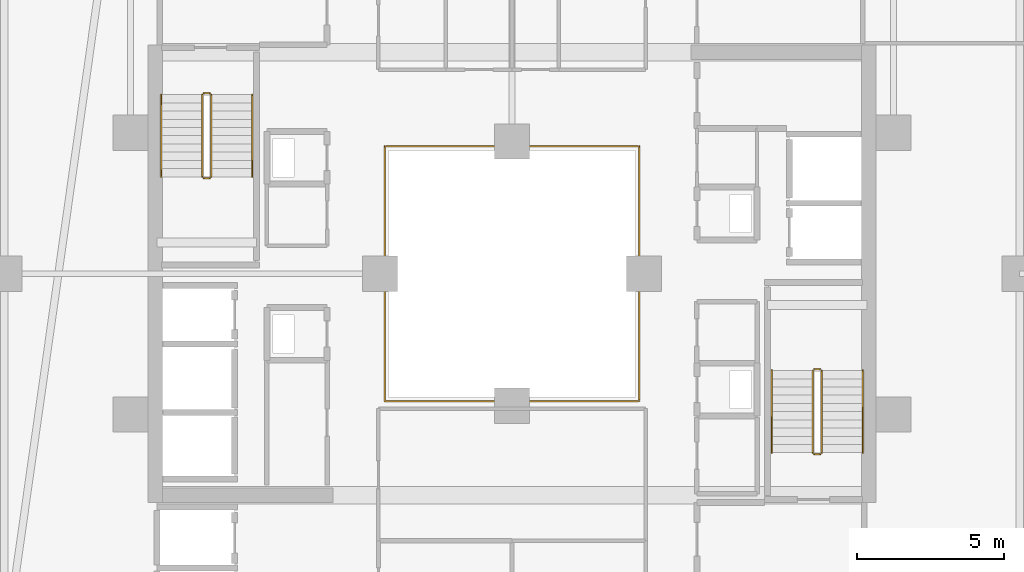
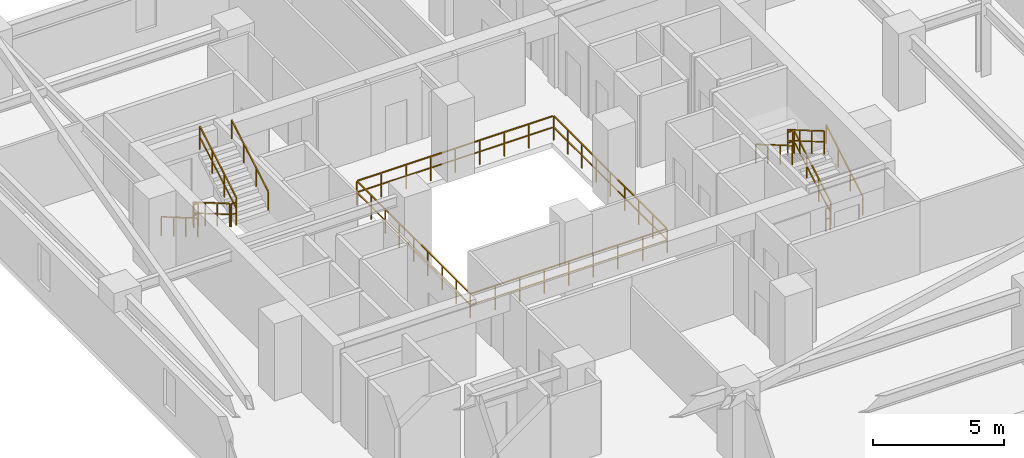
# One storey, part 32 of 33: 13 railings.
"""IFC4 building model written with IfcOpenShell, lengths in metres."""

from ifc_helpers import new_model, si_unit, direction, frame, origin, origin_2d, place, context, subcontext, project, spatial, rectangle, extrude, material, type_object, element, save


model = new_model("IFC4")

# Units and contexts
model_context = context("Model", 3, precision=1e-05, world=origin(), true_north=direction((0.0, 1.0)))
body_context = subcontext(model_context, "Body", "Model", "MODEL_VIEW")
ifc_project = project(units=[si_unit("LENGTHUNIT", "METRE"), si_unit("AREAUNIT", "SQUARE_METRE"), si_unit("VOLUMEUNIT", "CUBIC_METRE"), si_unit("PLANEANGLEUNIT", "RADIAN"), si_unit("MASSUNIT", "GRAM", prefix="KILO")], contexts=[model_context])

# Site, building, storey
site_placement = place(None, origin())
site = spatial("IfcSite", under=ifc_project, at=site_placement, CompositionType="ELEMENT")
building_placement = place(site_placement, origin())
building = spatial("IfcBuilding", under=site, at=building_placement, Name="Thornwick Lancets Civic Towers", CompositionType="ELEMENT")
storey_placement = place(building_placement, frame((0.0, 0.0, 134.10009765625)))
storey = spatial("IfcBuildingStorey", under=building, at=storey_placement, Name="L35", CompositionType="ELEMENT", Elevation=134.10009765625)

# Railings
ifc_material_1 = material(Name="Laminated glass and bronze steel S355", Category="steel")
railing_type_1 = type_object("IfcRailingType", Name="RAIL_ATRIUM_GUARD", PredefinedType="BALUSTRADE", material=ifc_material_1)
railing_1_placement = place(storey_placement, frame((84.159912109375, 22.659912109375, 0.0)))
element("IfcRailing", 1, at=railing_1_placement, inside=storey, type_object=railing_type_1, Name="L35 Tower B Central Atrium Guard Balustrade", PredefinedType="BALUSTRADE", context=body_context, shape_type="SweptSolid", body=[
    extrude(rectangle(XDim=0.048095703125, YDim=0.048095703125, at=origin_2d()), frame((0.0, 0.0, 1.1259765625), z_axis=(1.0, 0.0, 0.0), x_axis=(0.0, 1.0, 0.0)), (0.0, 0.0, 1.0), 8.64892578125),
    extrude(rectangle(XDim=0.0419921875, YDim=0.0419921875, at=origin_2d()), frame((0.03759765625, 0.0, 0.597900390625), z_axis=(1.0, 0.0, 0.0), x_axis=(0.0, 1.0, 0.0)), (0.0, 0.0, 1.0), 1.010009765625),
    extrude(rectangle(XDim=0.0419921875, YDim=0.0419921875, at=origin_2d()), frame((1.12255859375, 0.0, 0.597900390625), z_axis=(1.0, 0.0, 0.0), x_axis=(0.0, 1.0, 0.0)), (0.0, 0.0, 1.0), 1.010009765625),
    extrude(rectangle(XDim=0.0419921875, YDim=0.0419921875, at=origin_2d()), frame((2.20751953125, 0.0, 0.597900390625), z_axis=(1.0, 0.0, 0.0), x_axis=(0.0, 1.0, 0.0)), (0.0, 0.0, 1.0), 1.010009765625),
    extrude(rectangle(XDim=0.0419921875, YDim=0.0419921875, at=origin_2d()), frame((3.29248046875, 0.0, 0.597900390625), z_axis=(1.0, 0.0, 0.0), x_axis=(0.0, 1.0, 0.0)), (0.0, 0.0, 1.0), 1.010009765625),
    extrude(rectangle(XDim=0.0419921875, YDim=0.0419921875, at=origin_2d()), frame((4.377685546875, 0.0, 0.597900390625), z_axis=(1.0, 0.0, 0.0), x_axis=(0.0, 1.0, 0.0)), (0.0, 0.0, 1.0), 1.010009765625),
    extrude(rectangle(XDim=0.0419921875, YDim=0.0419921875, at=origin_2d()), frame((5.462646484375, 0.0, 0.597900390625), z_axis=(1.0, 0.0, 0.0), x_axis=(0.0, 1.0, 0.0)), (0.0, 0.0, 1.0), 1.010009765625),
    extrude(rectangle(XDim=0.0419921875, YDim=0.0419921875, at=origin_2d()), frame((6.547607421875, 0.0, 0.597900390625), z_axis=(1.0, 0.0, 0.0), x_axis=(0.0, 1.0, 0.0)), (0.0, 0.0, 1.0), 1.010009765625),
    extrude(rectangle(XDim=0.0419921875, YDim=0.0419921875, at=origin_2d()), frame((7.632568359375, 0.0, 0.597900390625), z_axis=(1.0, 0.0, 0.0), x_axis=(0.0, 1.0, 0.0)), (0.0, 0.0, 1.0), 1.010009765625),
    extrude(rectangle(XDim=0.048095703125, YDim=0.048095703125, at=origin_2d()), frame((8.68017578125, 0.03125, 1.1259765625), z_axis=(0.0, 1.0, 0.0), x_axis=(-1.0, 0.0, 0.0)), (0.0, 0.0, 1.0), 8.61767578125),
    extrude(rectangle(XDim=0.0419921875, YDim=0.0419921875, at=origin_2d()), frame((8.68017578125, 0.03759765625, 0.597900390625), z_axis=(0.0, 1.0, 0.0), x_axis=(-1.0, 0.0, 0.0)), (0.0, 0.0, 1.0), 1.010009765625),
    extrude(rectangle(XDim=0.0419921875, YDim=0.0419921875, at=origin_2d()), frame((8.68017578125, 1.12255859375, 0.597900390625), z_axis=(0.0, 1.0, 0.0), x_axis=(-1.0, 0.0, 0.0)), (0.0, 0.0, 1.0), 1.010009765625),
    extrude(rectangle(XDim=0.0419921875, YDim=0.0419921875, at=origin_2d()), frame((8.68017578125, 2.20751953125, 0.597900390625), z_axis=(0.0, 1.0, 0.0), x_axis=(-1.0, 0.0, 0.0)), (0.0, 0.0, 1.0), 1.010009765625),
    extrude(rectangle(XDim=0.0419921875, YDim=0.0419921875, at=origin_2d()), frame((8.68017578125, 3.29248046875, 0.597900390625), z_axis=(0.0, 1.0, 0.0), x_axis=(-1.0, 0.0, 0.0)), (0.0, 0.0, 1.0), 1.010009765625),
    extrude(rectangle(XDim=0.0419921875, YDim=0.0419921875, at=origin_2d()), frame((8.68017578125, 4.377685546875, 0.597900390625), z_axis=(0.0, 1.0, 0.0), x_axis=(-1.0, 0.0, 0.0)), (0.0, 0.0, 1.0), 1.010009765625),
    extrude(rectangle(XDim=0.0419921875, YDim=0.0419921875, at=origin_2d()), frame((8.68017578125, 5.462646484375, 0.597900390625), z_axis=(0.0, 1.0, 0.0), x_axis=(-1.0, 0.0, 0.0)), (0.0, 0.0, 1.0), 1.010009765625),
    extrude(rectangle(XDim=0.0419921875, YDim=0.0419921875, at=origin_2d()), frame((8.68017578125, 6.547607421875, 0.597900390625), z_axis=(0.0, 1.0, 0.0), x_axis=(-1.0, 0.0, 0.0)), (0.0, 0.0, 1.0), 1.010009765625),
    extrude(rectangle(XDim=0.0419921875, YDim=0.0419921875, at=origin_2d()), frame((8.68017578125, 7.632568359375, 0.597900390625), z_axis=(0.0, 1.0, 0.0), x_axis=(-1.0, 0.0, 0.0)), (0.0, 0.0, 1.0), 1.010009765625),
    extrude(rectangle(XDim=0.048095703125, YDim=0.048095703125, at=origin_2d()), frame((8.64892578125, 8.68017578125, 1.1259765625), z_axis=(-1.0, 0.0, 0.0), x_axis=(0.0, -1.0, 0.0)), (0.0, 0.0, 1.0), 8.61767578125),
    extrude(rectangle(XDim=0.0419921875, YDim=0.0419921875, at=origin_2d()), frame((8.642578125, 8.68017578125, 0.597900390625), z_axis=(-1.0, 0.0, 0.0), x_axis=(0.0, -1.0, 0.0)), (0.0, 0.0, 1.0), 1.010009765625),
    extrude(rectangle(XDim=0.0419921875, YDim=0.0419921875, at=origin_2d()), frame((7.5576171875, 8.68017578125, 0.597900390625), z_axis=(-1.0, 0.0, 0.0), x_axis=(0.0, -1.0, 0.0)), (0.0, 0.0, 1.0), 1.010009765625),
    extrude(rectangle(XDim=0.0419921875, YDim=0.0419921875, at=origin_2d()), frame((6.47265625, 8.68017578125, 0.597900390625), z_axis=(-1.0, 0.0, 0.0), x_axis=(0.0, -1.0, 0.0)), (0.0, 0.0, 1.0), 1.010009765625),
    extrude(rectangle(XDim=0.0419921875, YDim=0.0419921875, at=origin_2d()), frame((5.3876953125, 8.68017578125, 0.597900390625), z_axis=(-1.0, 0.0, 0.0), x_axis=(0.0, -1.0, 0.0)), (0.0, 0.0, 1.0), 1.010009765625),
    extrude(rectangle(XDim=0.0419921875, YDim=0.0419921875, at=origin_2d()), frame((4.302490234375, 8.68017578125, 0.597900390625), z_axis=(-1.0, 0.0, 0.0), x_axis=(0.0, -1.0, 0.0)), (0.0, 0.0, 1.0), 1.010009765625),
    extrude(rectangle(XDim=0.0419921875, YDim=0.0419921875, at=origin_2d()), frame((3.217529296875, 8.68017578125, 0.597900390625), z_axis=(-1.0, 0.0, 0.0), x_axis=(0.0, -1.0, 0.0)), (0.0, 0.0, 1.0), 1.010009765625),
    extrude(rectangle(XDim=0.0419921875, YDim=0.0419921875, at=origin_2d()), frame((2.132568359375, 8.68017578125, 0.597900390625), z_axis=(-1.0, 0.0, 0.0), x_axis=(0.0, -1.0, 0.0)), (0.0, 0.0, 1.0), 1.010009765625),
    extrude(rectangle(XDim=0.0419921875, YDim=0.0419921875, at=origin_2d()), frame((1.047607421875, 8.68017578125, 0.597900390625), z_axis=(-1.0, 0.0, 0.0), x_axis=(0.0, -1.0, 0.0)), (0.0, 0.0, 1.0), 1.010009765625),
    extrude(rectangle(XDim=0.048095703125, YDim=0.048095703125, at=origin_2d()), frame((0.0, 8.64892578125, 1.1259765625), z_axis=(0.0, -1.0, 0.0), x_axis=(1.0, 0.0, 0.0)), (0.0, 0.0, 1.0), 8.64892578125),
    extrude(rectangle(XDim=0.0419921875, YDim=0.0419921875, at=origin_2d()), frame((0.0, 8.642578125, 0.597900390625), z_axis=(0.0, -1.0, 0.0), x_axis=(1.0, 0.0, 0.0)), (0.0, 0.0, 1.0), 1.010009765625),
    extrude(rectangle(XDim=0.0419921875, YDim=0.0419921875, at=origin_2d()), frame((0.0, 7.5576171875, 0.597900390625), z_axis=(0.0, -1.0, 0.0), x_axis=(1.0, 0.0, 0.0)), (0.0, 0.0, 1.0), 1.010009765625),
    extrude(rectangle(XDim=0.0419921875, YDim=0.0419921875, at=origin_2d()), frame((0.0, 6.47265625, 0.597900390625), z_axis=(0.0, -1.0, 0.0), x_axis=(1.0, 0.0, 0.0)), (0.0, 0.0, 1.0), 1.010009765625),
    extrude(rectangle(XDim=0.0419921875, YDim=0.0419921875, at=origin_2d()), frame((0.0, 5.3876953125, 0.597900390625), z_axis=(0.0, -1.0, 0.0), x_axis=(1.0, 0.0, 0.0)), (0.0, 0.0, 1.0), 1.010009765625),
    extrude(rectangle(XDim=0.0419921875, YDim=0.0419921875, at=origin_2d()), frame((0.0, 4.302490234375, 0.597900390625), z_axis=(0.0, -1.0, 0.0), x_axis=(1.0, 0.0, 0.0)), (0.0, 0.0, 1.0), 1.010009765625),
    extrude(rectangle(XDim=0.0419921875, YDim=0.0419921875, at=origin_2d()), frame((0.0, 3.217529296875, 0.597900390625), z_axis=(0.0, -1.0, 0.0), x_axis=(1.0, 0.0, 0.0)), (0.0, 0.0, 1.0), 1.010009765625),
    extrude(rectangle(XDim=0.0419921875, YDim=0.0419921875, at=origin_2d()), frame((0.0, 2.132568359375, 0.597900390625), z_axis=(0.0, -1.0, 0.0), x_axis=(1.0, 0.0, 0.0)), (0.0, 0.0, 1.0), 1.010009765625),
    extrude(rectangle(XDim=0.0419921875, YDim=0.0419921875, at=origin_2d()), frame((0.0, 1.047607421875, 0.597900390625), z_axis=(0.0, -1.0, 0.0), x_axis=(1.0, 0.0, 0.0)), (0.0, 0.0, 1.0), 1.010009765625),
    extrude(rectangle(XDim=0.0419921875, YDim=0.0419921875, at=origin_2d()), origin(), (0.0, 0.0, 1.0), 1.095703125),
    extrude(rectangle(XDim=0.0419921875, YDim=0.0419921875, at=origin_2d()), frame((1.0849609375, 0.0, 0.0)), (0.0, 0.0, 1.0), 1.095703125),
    extrude(rectangle(XDim=0.0419921875, YDim=0.0419921875, at=origin_2d()), frame((2.169921875, 0.0, 0.0)), (0.0, 0.0, 1.0), 1.095703125),
    extrude(rectangle(XDim=0.0419921875, YDim=0.0419921875, at=origin_2d()), frame((3.255126953125, 0.0, 0.0)), (0.0, 0.0, 1.0), 1.095703125),
    extrude(rectangle(XDim=0.0419921875, YDim=0.0419921875, at=origin_2d()), frame((4.340087890625, 0.0, 0.0)), (0.0, 0.0, 1.0), 1.095703125),
    extrude(rectangle(XDim=0.0419921875, YDim=0.0419921875, at=origin_2d()), frame((5.425048828125, 0.0, 0.0)), (0.0, 0.0, 1.0), 1.095703125),
    extrude(rectangle(XDim=0.0419921875, YDim=0.0419921875, at=origin_2d()), frame((6.51025390625, 0.0, 0.0)), (0.0, 0.0, 1.0), 1.095703125),
    extrude(rectangle(XDim=0.0419921875, YDim=0.0419921875, at=origin_2d()), frame((7.59521484375, 0.0, 0.0)), (0.0, 0.0, 1.0), 1.095703125),
    extrude(rectangle(XDim=0.0419921875, YDim=0.0419921875, at=origin_2d()), frame((8.68017578125, 0.0, 0.0)), (0.0, 0.0, 1.0), 1.095703125),
    extrude(rectangle(XDim=0.0419921875, YDim=0.0419921875, at=origin_2d()), frame((8.68017578125, 1.0849609375, 0.0)), (0.0, 0.0, 1.0), 1.095703125),
    extrude(rectangle(XDim=0.0419921875, YDim=0.0419921875, at=origin_2d()), frame((8.68017578125, 2.169921875, 0.0)), (0.0, 0.0, 1.0), 1.095703125),
    extrude(rectangle(XDim=0.0419921875, YDim=0.0419921875, at=origin_2d()), frame((8.68017578125, 3.255126953125, 0.0)), (0.0, 0.0, 1.0), 1.095703125),
    extrude(rectangle(XDim=0.0419921875, YDim=0.0419921875, at=origin_2d()), frame((8.68017578125, 4.340087890625, 0.0)), (0.0, 0.0, 1.0), 1.095703125),
    extrude(rectangle(XDim=0.0419921875, YDim=0.0419921875, at=origin_2d()), frame((8.68017578125, 5.425048828125, 0.0)), (0.0, 0.0, 1.0), 1.095703125),
    extrude(rectangle(XDim=0.0419921875, YDim=0.0419921875, at=origin_2d()), frame((8.68017578125, 6.51025390625, 0.0)), (0.0, 0.0, 1.0), 1.095703125),
    extrude(rectangle(XDim=0.0419921875, YDim=0.0419921875, at=origin_2d()), frame((8.68017578125, 7.59521484375, 0.0)), (0.0, 0.0, 1.0), 1.095703125),
    extrude(rectangle(XDim=0.0419921875, YDim=0.0419921875, at=origin_2d()), frame((8.68017578125, 8.68017578125, 0.0)), (0.0, 0.0, 1.0), 1.095703125),
    extrude(rectangle(XDim=0.0419921875, YDim=0.0419921875, at=origin_2d()), frame((7.59521484375, 8.68017578125, 0.0)), (0.0, 0.0, 1.0), 1.095703125),
    extrude(rectangle(XDim=0.0419921875, YDim=0.0419921875, at=origin_2d()), frame((6.51025390625, 8.68017578125, 0.0)), (0.0, 0.0, 1.0), 1.095703125),
    extrude(rectangle(XDim=0.0419921875, YDim=0.0419921875, at=origin_2d()), frame((5.425048828125, 8.68017578125, 0.0)), (0.0, 0.0, 1.0), 1.095703125),
    extrude(rectangle(XDim=0.0419921875, YDim=0.0419921875, at=origin_2d()), frame((4.340087890625, 8.68017578125, 0.0)), (0.0, 0.0, 1.0), 1.095703125),
    extrude(rectangle(XDim=0.0419921875, YDim=0.0419921875, at=origin_2d()), frame((3.255126953125, 8.68017578125, 0.0)), (0.0, 0.0, 1.0), 1.095703125),
    extrude(rectangle(XDim=0.0419921875, YDim=0.0419921875, at=origin_2d()), frame((2.169921875, 8.68017578125, 0.0)), (0.0, 0.0, 1.0), 1.095703125),
    extrude(rectangle(XDim=0.0419921875, YDim=0.0419921875, at=origin_2d()), frame((1.0849609375, 8.68017578125, 0.0)), (0.0, 0.0, 1.0), 1.095703125),
    extrude(rectangle(XDim=0.0419921875, YDim=0.0419921875, at=origin_2d()), frame((0.0, 8.68017578125, 0.0)), (0.0, 0.0, 1.0), 1.095703125),
    extrude(rectangle(XDim=0.0419921875, YDim=0.0419921875, at=origin_2d()), frame((0.0, 7.59521484375, 0.0)), (0.0, 0.0, 1.0), 1.095703125),
    extrude(rectangle(XDim=0.0419921875, YDim=0.0419921875, at=origin_2d()), frame((0.0, 6.51025390625, 0.0)), (0.0, 0.0, 1.0), 1.095703125),
    extrude(rectangle(XDim=0.0419921875, YDim=0.0419921875, at=origin_2d()), frame((0.0, 5.425048828125, 0.0)), (0.0, 0.0, 1.0), 1.095703125),
    extrude(rectangle(XDim=0.0419921875, YDim=0.0419921875, at=origin_2d()), frame((0.0, 4.340087890625, 0.0)), (0.0, 0.0, 1.0), 1.095703125),
    extrude(rectangle(XDim=0.0419921875, YDim=0.0419921875, at=origin_2d()), frame((0.0, 3.255126953125, 0.0)), (0.0, 0.0, 1.0), 1.095703125),
    extrude(rectangle(XDim=0.0419921875, YDim=0.0419921875, at=origin_2d()), frame((0.0, 2.169921875, 0.0)), (0.0, 0.0, 1.0), 1.095703125),
    extrude(rectangle(XDim=0.0419921875, YDim=0.0419921875, at=origin_2d()), frame((0.0, 1.0849609375, 0.0)), (0.0, 0.0, 1.0), 1.095703125),
])
ifc_material_2 = material(Name="Brushed stainless steel S355", Category="steel")
railing_type_2 = type_object("IfcRailingType", Name="RAIL_HANDRAIL", PredefinedType="HANDRAIL", material=ifc_material_2)
railing_2_placement = place(storey_placement, frame((100.449951171875, 20.89990234375, 0.16357421875)))
element("IfcRailing", 2, at=railing_2_placement, inside=storey, type_object=railing_type_2, Name="L35 ST-B1 stair handrail 1", PredefinedType="HANDRAIL", context=body_context, shape_type="SweptSolid", body=[
    extrude(rectangle(XDim=0.048095703125, YDim=0.048095703125, at=origin_2d()), frame((0.0, 0.0, 0.8857421875), z_axis=(0.0, 0.863393664356, 0.504530851732), x_axis=(-1.0, 0.0, 0.0)), (0.0, 0.0, 1.0), 3.2431640625),
    extrude(rectangle(XDim=0.0419921875, YDim=0.0419921875, at=origin_2d()), origin(), (0.0, 0.0, 1.0), 0.855712890625),
    extrude(rectangle(XDim=0.0419921875, YDim=0.0419921875, at=origin_2d()), frame((0.0, 0.933349609375, 0.54541015625)), (0.0, 0.0, 1.0), 0.855712890625),
    extrude(rectangle(XDim=0.0419921875, YDim=0.0419921875, at=origin_2d()), frame((0.0, 1.86669921875, 1.0908203125)), (0.0, 0.0, 1.0), 0.855712890625),
    extrude(rectangle(XDim=0.0419921875, YDim=0.0419921875, at=origin_2d()), frame((0.0, 2.800048828125, 1.63623046875)), (0.0, 0.0, 1.0), 0.855712890625),
])
for number, where, name in (
    (3, (97.35009765625, 23.699951171875, 1.963623046875), "L35 ST-B1 stair handrail 2"),
    (4, (76.550048828125, 33.10009765625, 0.16357421875), "L35 ST-B2 stair handrail 1"),
):
    element("IfcRailing", number, at=place(storey_placement, frame(where)), inside=storey, type_object=railing_type_2, Name=name, PredefinedType="HANDRAIL", context=body_context, shape_type="SweptSolid", body=[
        extrude(rectangle(XDim=0.048095703125, YDim=0.048095703125, at=origin_2d()), frame((0.0, 0.0, 0.8857421875), z_axis=(0.0, -0.863393664356, 0.504530851732), x_axis=(1.0, 0.0, 0.0)), (0.0, 0.0, 1.0), 3.2431640625),
        extrude(rectangle(XDim=0.0419921875, YDim=0.0419921875, at=origin_2d()), origin(), (0.0, 0.0, 1.0), 0.855712890625),
        extrude(rectangle(XDim=0.0419921875, YDim=0.0419921875, at=origin_2d()), frame((0.0, -0.933349609375, 0.54541015625)), (0.0, 0.0, 1.0), 0.855712890625),
        extrude(rectangle(XDim=0.0419921875, YDim=0.0419921875, at=origin_2d()), frame((0.0, -1.86669921875, 1.0908203125)), (0.0, 0.0, 1.0), 0.855712890625),
        extrude(rectangle(XDim=0.0419921875, YDim=0.0419921875, at=origin_2d()), frame((0.0, -2.800048828125, 1.63623046875)), (0.0, 0.0, 1.0), 0.855712890625),
    ])
railing_3_placement = place(storey_placement, frame((79.64990234375, 30.300048828125, 1.963623046875)))
element("IfcRailing", 5, at=railing_3_placement, inside=storey, type_object=railing_type_2, Name="L35 ST-B2 stair handrail 2", PredefinedType="HANDRAIL", context=body_context, shape_type="SweptSolid", body=[
    extrude(rectangle(XDim=0.048095703125, YDim=0.048095703125, at=origin_2d()), frame((0.0, 0.0, 0.8857421875), z_axis=(0.0, 0.863393664356, 0.504530851732), x_axis=(-1.0, 0.0, 0.0)), (0.0, 0.0, 1.0), 3.2431640625),
    extrude(rectangle(XDim=0.0419921875, YDim=0.0419921875, at=origin_2d()), origin(), (0.0, 0.0, 1.0), 0.855712890625),
    extrude(rectangle(XDim=0.0419921875, YDim=0.0419921875, at=origin_2d()), frame((0.0, 0.933349609375, 0.54541015625)), (0.0, 0.0, 1.0), 0.855712890625),
    extrude(rectangle(XDim=0.0419921875, YDim=0.0419921875, at=origin_2d()), frame((0.0, 1.86669921875, 1.0908203125)), (0.0, 0.0, 1.0), 0.855712890625),
    extrude(rectangle(XDim=0.0419921875, YDim=0.0419921875, at=origin_2d()), frame((0.0, 2.800048828125, 1.63623046875)), (0.0, 0.0, 1.0), 0.855712890625),
])
ifc_material_3 = material(Name="Steel S355JR", Category="steel")
railing_type_3 = type_object("IfcRailingType", Name="RAIL_STAIR_GUARD", PredefinedType="GUARDRAIL", material=ifc_material_3)
railing_4_placement = place(storey_placement, frame((99.050048828125, 20.89990234375, 0.16357421875)))
element("IfcRailing", 6, at=railing_4_placement, inside=storey, type_object=railing_type_3, Name="L35 ST-B1 stair guard 1", PredefinedType="GUARDRAIL", context=body_context, shape_type="SweptSolid", body=[
    extrude(rectangle(XDim=0.048095703125, YDim=0.048095703125, at=origin_2d()), frame((0.0, 0.0, 1.076171875), z_axis=(0.0, 0.863393664356, 0.504530851732), x_axis=(-1.0, 0.0, 0.0)), (0.0, 0.0, 1.0), 3.2431640625),
    extrude(rectangle(XDim=0.0419921875, YDim=0.0419921875, at=origin_2d()), frame((0.0, 0.032470703125, 0.591064453125), z_axis=(0.0, 0.863393664356, 0.504530851732), x_axis=(-1.0, 0.0, 0.0)), (0.0, 0.0, 1.0), 1.006103515625),
    extrude(rectangle(XDim=0.0419921875, YDim=0.0419921875, at=origin_2d()), frame((0.0, 0.9658203125, 1.136474609375), z_axis=(0.0, 0.863393664356, 0.504530851732), x_axis=(-1.0, 0.0, 0.0)), (0.0, 0.0, 1.0), 1.006103515625),
    extrude(rectangle(XDim=0.0419921875, YDim=0.0419921875, at=origin_2d()), frame((0.0, 1.899169921875, 1.681884765625), z_axis=(0.0, 0.863393664356, 0.504530851732), x_axis=(-1.0, 0.0, 0.0)), (0.0, 0.0, 1.0), 1.006103515625),
    extrude(rectangle(XDim=0.0419921875, YDim=0.0419921875, at=origin_2d()), origin(), (0.0, 0.0, 1.0), 1.0458984375),
    extrude(rectangle(XDim=0.0419921875, YDim=0.0419921875, at=origin_2d()), frame((0.0, 0.933349609375, 0.54541015625)), (0.0, 0.0, 1.0), 1.0458984375),
    extrude(rectangle(XDim=0.0419921875, YDim=0.0419921875, at=origin_2d()), frame((0.0, 1.86669921875, 1.0908203125)), (0.0, 0.0, 1.0), 1.0458984375),
    extrude(rectangle(XDim=0.0419921875, YDim=0.0419921875, at=origin_2d()), frame((0.0, 2.800048828125, 1.63623046875)), (0.0, 0.0, 1.0), 1.0458984375),
])
railing_5_placement = place(storey_placement, frame((99.0, 23.75, 1.7998046875)))
element("IfcRailing", 7, at=railing_5_placement, inside=storey, type_object=railing_type_3, Name="L35 ST-B1 stair guard 2", PredefinedType="GUARDRAIL", context=body_context, shape_type="SweptSolid", body=[
    extrude(rectangle(XDim=0.048095703125, YDim=0.048095703125, at=origin_2d()), frame((0.0, 0.0, 1.076171875), z_axis=(-1.0, 0.0, 0.0), x_axis=(0.0, -1.0, 0.0)), (0.0, 0.0, 1.0), 0.199951171875),
    extrude(rectangle(XDim=0.0419921875, YDim=0.0419921875, at=origin_2d()), frame((-0.03759765625, 0.0, 0.572021484375), z_axis=(-1.0, 0.0, 0.0), x_axis=(0.0, -1.0, 0.0)), (0.0, 0.0, 1.0), 0.125),
    extrude(rectangle(XDim=0.0419921875, YDim=0.0419921875, at=origin_2d()), origin(), (0.0, 0.0, 1.0), 1.0458984375),
    extrude(rectangle(XDim=0.0419921875, YDim=0.0419921875, at=origin_2d()), frame((-0.199951171875, 0.0, 0.0)), (0.0, 0.0, 1.0), 1.0458984375),
])
railing_6_placement = place(storey_placement, frame((98.75, 23.699951171875, 1.963623046875)))
element("IfcRailing", 8, at=railing_6_placement, inside=storey, type_object=railing_type_3, Name="L35 ST-B1 stair guard 3", PredefinedType="GUARDRAIL", context=body_context, shape_type="SweptSolid", body=[
    extrude(rectangle(XDim=0.048095703125, YDim=0.048095703125, at=origin_2d()), frame((0.0, 0.0, 1.076171875), z_axis=(0.0, -0.863393664356, 0.504530851732), x_axis=(1.0, 0.0, 0.0)), (0.0, 0.0, 1.0), 3.2431640625),
    extrude(rectangle(XDim=0.0419921875, YDim=0.0419921875, at=origin_2d()), frame((0.0, -0.032470703125, 0.591064453125), z_axis=(0.0, -0.863393664356, 0.504530851732), x_axis=(1.0, 0.0, 0.0)), (0.0, 0.0, 1.0), 1.006103515625),
    extrude(rectangle(XDim=0.0419921875, YDim=0.0419921875, at=origin_2d()), frame((0.0, -0.9658203125, 1.136474609375), z_axis=(0.0, -0.863393664356, 0.504530851732), x_axis=(1.0, 0.0, 0.0)), (0.0, 0.0, 1.0), 1.006103515625),
    extrude(rectangle(XDim=0.0419921875, YDim=0.0419921875, at=origin_2d()), frame((0.0, -1.899169921875, 1.681884765625), z_axis=(0.0, -0.863393664356, 0.504530851732), x_axis=(1.0, 0.0, 0.0)), (0.0, 0.0, 1.0), 1.006103515625),
    extrude(rectangle(XDim=0.0419921875, YDim=0.0419921875, at=origin_2d()), origin(), (0.0, 0.0, 1.0), 1.0458984375),
    extrude(rectangle(XDim=0.0419921875, YDim=0.0419921875, at=origin_2d()), frame((0.0, -0.933349609375, 0.54541015625)), (0.0, 0.0, 1.0), 1.0458984375),
    extrude(rectangle(XDim=0.0419921875, YDim=0.0419921875, at=origin_2d()), frame((0.0, -1.86669921875, 1.0908203125)), (0.0, 0.0, 1.0), 1.0458984375),
    extrude(rectangle(XDim=0.0419921875, YDim=0.0419921875, at=origin_2d()), frame((0.0, -2.800048828125, 1.63623046875)), (0.0, 0.0, 1.0), 1.0458984375),
])
railing_7_placement = place(storey_placement, frame((99.0, 20.85009765625, 0.0)))
element("IfcRailing", 9, at=railing_7_placement, inside=storey, type_object=railing_type_3, Name="L35 ST-B1 stair guard 4", PredefinedType="GUARDRAIL", context=body_context, shape_type="SweptSolid", body=[
    extrude(rectangle(XDim=0.048095703125, YDim=0.048095703125, at=origin_2d()), frame((0.0, 0.0, 1.076171875), z_axis=(-1.0, 0.0, 0.0), x_axis=(0.0, -1.0, 0.0)), (0.0, 0.0, 1.0), 0.199951171875),
    extrude(rectangle(XDim=0.0419921875, YDim=0.0419921875, at=origin_2d()), frame((-0.03759765625, 0.0, 0.572021484375), z_axis=(-1.0, 0.0, 0.0), x_axis=(0.0, -1.0, 0.0)), (0.0, 0.0, 1.0), 0.125),
    extrude(rectangle(XDim=0.0419921875, YDim=0.0419921875, at=origin_2d()), origin(), (0.0, 0.0, 1.0), 1.0458984375),
    extrude(rectangle(XDim=0.0419921875, YDim=0.0419921875, at=origin_2d()), frame((-0.199951171875, 0.0, 0.0)), (0.0, 0.0, 1.0), 1.0458984375),
])
railing_8_placement = place(storey_placement, frame((77.949951171875, 33.10009765625, 0.16357421875)))
element("IfcRailing", 10, at=railing_8_placement, inside=storey, type_object=railing_type_3, Name="L35 ST-B2 stair guard 1", PredefinedType="GUARDRAIL", context=body_context, shape_type="SweptSolid", body=[
    extrude(rectangle(XDim=0.048095703125, YDim=0.048095703125, at=origin_2d()), frame((0.0, 0.0, 1.076171875), z_axis=(0.0, -0.863393664356, 0.504530851732), x_axis=(1.0, 0.0, 0.0)), (0.0, 0.0, 1.0), 3.2431640625),
    extrude(rectangle(XDim=0.0419921875, YDim=0.0419921875, at=origin_2d()), frame((0.0, -0.032470703125, 0.591064453125), z_axis=(0.0, -0.863393664356, 0.504530851732), x_axis=(1.0, 0.0, 0.0)), (0.0, 0.0, 1.0), 1.006103515625),
    extrude(rectangle(XDim=0.0419921875, YDim=0.0419921875, at=origin_2d()), frame((0.0, -0.9658203125, 1.136474609375), z_axis=(0.0, -0.863393664356, 0.504530851732), x_axis=(1.0, 0.0, 0.0)), (0.0, 0.0, 1.0), 1.006103515625),
    extrude(rectangle(XDim=0.0419921875, YDim=0.0419921875, at=origin_2d()), frame((0.0, -1.899169921875, 1.681884765625), z_axis=(0.0, -0.863393664356, 0.504530851732), x_axis=(1.0, 0.0, 0.0)), (0.0, 0.0, 1.0), 1.006103515625),
    extrude(rectangle(XDim=0.0419921875, YDim=0.0419921875, at=origin_2d()), origin(), (0.0, 0.0, 1.0), 1.0458984375),
    extrude(rectangle(XDim=0.0419921875, YDim=0.0419921875, at=origin_2d()), frame((0.0, -0.933349609375, 0.54541015625)), (0.0, 0.0, 1.0), 1.0458984375),
    extrude(rectangle(XDim=0.0419921875, YDim=0.0419921875, at=origin_2d()), frame((0.0, -1.86669921875, 1.0908203125)), (0.0, 0.0, 1.0), 1.0458984375),
    extrude(rectangle(XDim=0.0419921875, YDim=0.0419921875, at=origin_2d()), frame((0.0, -2.800048828125, 1.63623046875)), (0.0, 0.0, 1.0), 1.0458984375),
])
railing_9_placement = place(storey_placement, frame((78.0, 30.25, 1.7998046875)))
element("IfcRailing", 11, at=railing_9_placement, inside=storey, type_object=railing_type_3, Name="L35 ST-B2 stair guard 2", PredefinedType="GUARDRAIL", context=body_context, shape_type="SweptSolid", body=[
    extrude(rectangle(XDim=0.048095703125, YDim=0.048095703125, at=origin_2d()), frame((0.0, 0.0, 1.076171875), z_axis=(1.0, 0.0, 0.0), x_axis=(0.0, 1.0, 0.0)), (0.0, 0.0, 1.0), 0.199951171875),
    extrude(rectangle(XDim=0.0419921875, YDim=0.0419921875, at=origin_2d()), frame((0.03759765625, 0.0, 0.572021484375), z_axis=(1.0, 0.0, 0.0), x_axis=(0.0, 1.0, 0.0)), (0.0, 0.0, 1.0), 0.125),
    extrude(rectangle(XDim=0.0419921875, YDim=0.0419921875, at=origin_2d()), origin(), (0.0, 0.0, 1.0), 1.0458984375),
    extrude(rectangle(XDim=0.0419921875, YDim=0.0419921875, at=origin_2d()), frame((0.199951171875, 0.0, 0.0)), (0.0, 0.0, 1.0), 1.0458984375),
])
railing_10_placement = place(storey_placement, frame((78.25, 30.300048828125, 1.963623046875)))
element("IfcRailing", 12, at=railing_10_placement, inside=storey, type_object=railing_type_3, Name="L35 ST-B2 stair guard 3", PredefinedType="GUARDRAIL", context=body_context, shape_type="SweptSolid", body=[
    extrude(rectangle(XDim=0.048095703125, YDim=0.048095703125, at=origin_2d()), frame((0.0, 0.0, 1.076171875), z_axis=(0.0, 0.863393664356, 0.504530851732), x_axis=(-1.0, 0.0, 0.0)), (0.0, 0.0, 1.0), 3.2431640625),
    extrude(rectangle(XDim=0.0419921875, YDim=0.0419921875, at=origin_2d()), frame((0.0, 0.032470703125, 0.591064453125), z_axis=(0.0, 0.863393664356, 0.504530851732), x_axis=(-1.0, 0.0, 0.0)), (0.0, 0.0, 1.0), 1.006103515625),
    extrude(rectangle(XDim=0.0419921875, YDim=0.0419921875, at=origin_2d()), frame((0.0, 0.9658203125, 1.136474609375), z_axis=(0.0, 0.863393664356, 0.504530851732), x_axis=(-1.0, 0.0, 0.0)), (0.0, 0.0, 1.0), 1.006103515625),
    extrude(rectangle(XDim=0.0419921875, YDim=0.0419921875, at=origin_2d()), frame((0.0, 1.899169921875, 1.681884765625), z_axis=(0.0, 0.863393664356, 0.504530851732), x_axis=(-1.0, 0.0, 0.0)), (0.0, 0.0, 1.0), 1.006103515625),
    extrude(rectangle(XDim=0.0419921875, YDim=0.0419921875, at=origin_2d()), origin(), (0.0, 0.0, 1.0), 1.0458984375),
    extrude(rectangle(XDim=0.0419921875, YDim=0.0419921875, at=origin_2d()), frame((0.0, 0.933349609375, 0.54541015625)), (0.0, 0.0, 1.0), 1.0458984375),
    extrude(rectangle(XDim=0.0419921875, YDim=0.0419921875, at=origin_2d()), frame((0.0, 1.86669921875, 1.0908203125)), (0.0, 0.0, 1.0), 1.0458984375),
    extrude(rectangle(XDim=0.0419921875, YDim=0.0419921875, at=origin_2d()), frame((0.0, 2.800048828125, 1.63623046875)), (0.0, 0.0, 1.0), 1.0458984375),
])
railing_11_placement = place(storey_placement, frame((78.0, 33.14990234375, 0.0)))
element("IfcRailing", 13, at=railing_11_placement, inside=storey, type_object=railing_type_3, Name="L35 ST-B2 stair guard 4", PredefinedType="GUARDRAIL", context=body_context, shape_type="SweptSolid", body=[
    extrude(rectangle(XDim=0.048095703125, YDim=0.048095703125, at=origin_2d()), frame((0.0, 0.0, 1.076171875), z_axis=(1.0, 0.0, 0.0), x_axis=(0.0, 1.0, 0.0)), (0.0, 0.0, 1.0), 0.199951171875),
    extrude(rectangle(XDim=0.0419921875, YDim=0.0419921875, at=origin_2d()), frame((0.03759765625, 0.0, 0.572021484375), z_axis=(1.0, 0.0, 0.0), x_axis=(0.0, 1.0, 0.0)), (0.0, 0.0, 1.0), 0.125),
    extrude(rectangle(XDim=0.0419921875, YDim=0.0419921875, at=origin_2d()), origin(), (0.0, 0.0, 1.0), 1.0458984375),
    extrude(rectangle(XDim=0.0419921875, YDim=0.0419921875, at=origin_2d()), frame((0.199951171875, 0.0, 0.0)), (0.0, 0.0, 1.0), 1.0458984375),
])

save(model, "model.ifc")
